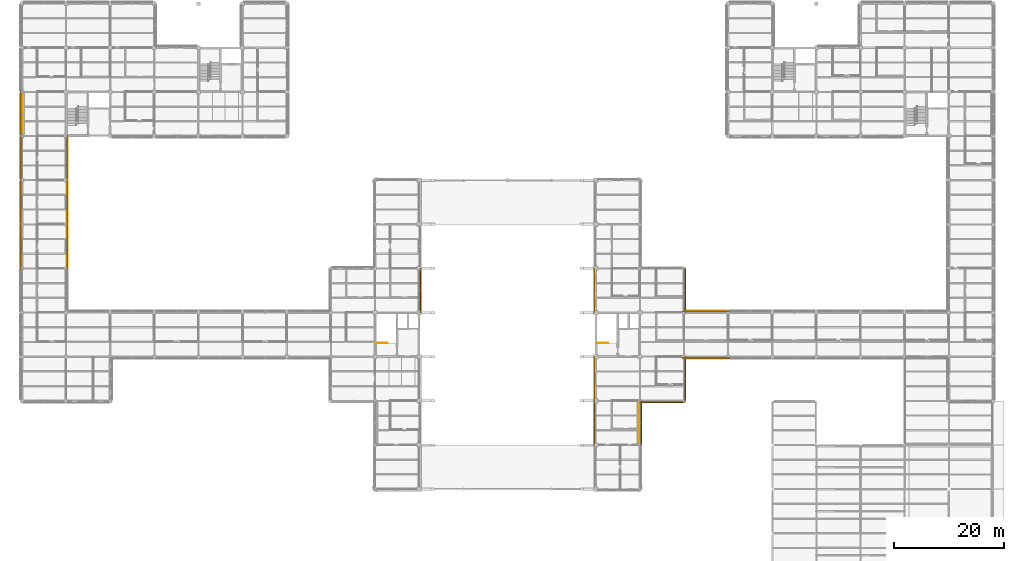
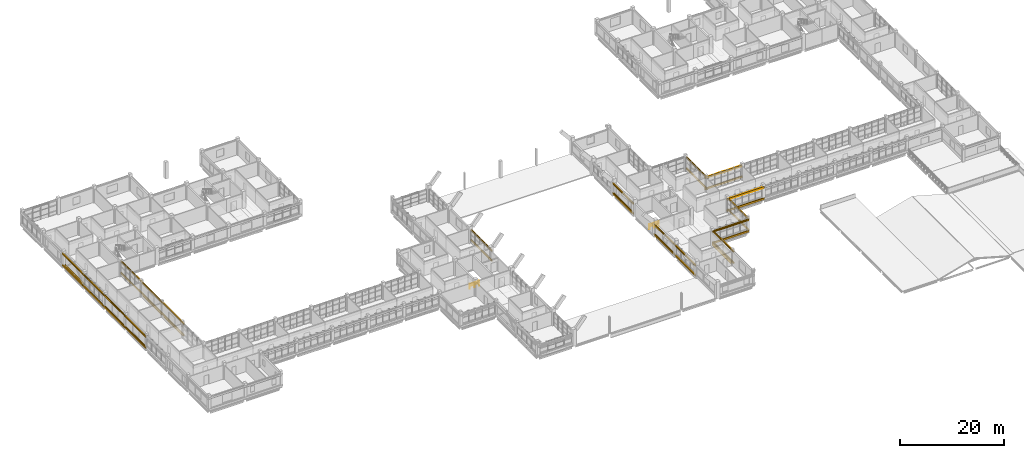
# One storey, part 84 of 92: 42 coverings, 17 shading devices, 2 railings.
"""IFC4 building model written with IfcOpenShell, lengths in metres."""

from ifc_helpers import new_model, si_unit, derived_unit, direction, frame, origin, origin_2d, place, context, subcontext, project, spatial, rectangle, circle, extrude, material, layer, layer_set, material_profile, profile_set, type_object, element, save


model = new_model("IFC4")

# Units and contexts
model_context = context("Model", 3, precision=1e-05, world=origin(), true_north=direction((0.0, 1.0)))
body_context = subcontext(model_context, "Body", "Model", "MODEL_VIEW")
ifc_project = project(units=[si_unit("LENGTHUNIT", "METRE"), si_unit("AREAUNIT", "SQUARE_METRE"), si_unit("VOLUMEUNIT", "CUBIC_METRE"), si_unit("PLANEANGLEUNIT", "RADIAN"), si_unit("MASSUNIT", "GRAM", prefix="KILO"), derived_unit("THERMALTRANSMITTANCEUNIT", [(si_unit("MASSUNIT", "GRAM", prefix="KILO"), 1), (si_unit("TIMEUNIT", "SECOND"), -3), (si_unit("THERMODYNAMICTEMPERATUREUNIT", "KELVIN"), -1)])], contexts=[model_context])

# Site, building, storey
site_placement = place(None, origin())
site = spatial("IfcSite", under=ifc_project, at=site_placement, CompositionType="ELEMENT")
building_placement = place(site_placement, origin())
building = spatial("IfcBuilding", under=site, at=building_placement, Name="Veyamyaing Civic Hall", CompositionType="ELEMENT")
storey_placement = place(building_placement, frame((0.0, 0.0, 17.820068359375)))
storey = spatial("IfcBuildingStorey", under=building, at=storey_placement, Name="L04", CompositionType="ELEMENT", Elevation=17.820068359375)

# Coverings
ifc_material_1 = material(Name="Buff sandstone ashlar cladding", Category="masonry")
ifc_layer_1 = layer(ifc_material_1, 0.050048828125, Name="Buff sandstone ashlar cladding")
ifc_layer_set_1 = layer_set([ifc_layer_1], Name="Buff sandstone ashlar cladding")
covering_type_1 = type_object("IfcCoveringType", Name="CL-01", PredefinedType="CLADDING", material=ifc_layer_set_1)
for number, where, z_axis, x_axis, name in (
    (1, (-0.160888671875, 75.97509765625, 0.044921875), (0.0, 0.0, 1.0), (0.0, 1.0, 0.0), "Facade spandrel cladding CL-01 L04 W 1.10"),
    (2, (8.160888671875, 75.97509765625, 0.044921875), (0.0, 0.0, 1.0), (0.0, 1.0, 0.0), "Facade spandrel cladding CL-01 L04 E 1.10"),
):
    element("IfcCovering", number, at=place(storey_placement, frame(where, z_axis=z_axis, x_axis=x_axis)), inside=storey, type_object=covering_type_1, Name=name, PredefinedType="CLADDING", context=body_context, shape_type="SweptSolid", body=[
        extrude(rectangle(XDim=7.35009765625, YDim=0.050048828125, at=origin_2d()), origin(), (0.0, 0.0, 1.0), 0.75),
    ])
covering_1_placement = place(storey_placement, frame((0.138916015625, 92.0, 0.044921875), z_axis=(0.0, 0.0, 1.0), x_axis=(0.0, 1.0, 0.0)))
element("IfcCovering", 3, at=covering_1_placement, inside=storey, type_object=covering_type_1, Name="Facade spandrel cladding CL-01 L04 W 1.12", PredefinedType="CLADDING", context=body_context, shape_type="SweptSolid", body=[
    extrude(rectangle(XDim=7.300048828125, YDim=0.050048828125, at=origin_2d()), origin(), (0.0, 0.0, 1.0), 0.75),
])
covering_2_placement = place(storey_placement, frame((111.87353515625, 36.0, 0.044921875), z_axis=(0.0, 0.0, 1.0), x_axis=(0.0, 1.0, 0.0)))
element("IfcCovering", 4, at=covering_2_placement, inside=storey, type_object=covering_type_1, Name="Facade spandrel cladding CL-01 L04 E 14.5", PredefinedType="CLADDING", context=body_context, shape_type="SweptSolid", body=[
    extrude(rectangle(XDim=7.39990234375, YDim=0.050048828125, at=origin_2d()), origin(), (0.0, 0.0, 1.0), 0.75),
])
ifc_material_2 = material(Name="Turquoise glazed ceramic tile cladding", Category="masonry")
ifc_layer_2 = layer(ifc_material_2, 0.034912109375, Name="Turquoise glazed ceramic tile cladding")
ifc_layer_set_2 = layer_set([ifc_layer_2], Name="Turquoise glazed ceramic tile cladding")
covering_type_2 = type_object("IfcCoveringType", Name="CL-02", PredefinedType="CLADDING", material=ifc_layer_set_2)
for number, where, z_axis, x_axis, name in (
    (5, (-0.153564453125, 68.0, 0.044921875), (0.0, 0.0, 1.0), (0.0, 1.0, 0.0), "Facade spandrel cladding CL-02 L04 W 1.9"),
    (6, (8.153564453125, 68.0, 0.044921875), (0.0, 0.0, 1.0), (0.0, 1.0, 0.0), "Facade spandrel cladding CL-02 L04 E 1.9"),
):
    element("IfcCovering", number, at=place(storey_placement, frame(where, z_axis=z_axis, x_axis=x_axis)), inside=storey, type_object=covering_type_2, Name=name, PredefinedType="CLADDING", context=body_context, shape_type="SweptSolid", body=[
        extrude(rectangle(XDim=7.39990234375, YDim=0.034912109375, at=origin_2d()), origin(), (0.0, 0.0, 1.0), 0.75),
    ])
for number, where, z_axis, x_axis, name in (
    (7, (103.833984375, 44.0, 0.044921875), (0.0, 0.0, 1.0), (0.0, 1.0, 0.0), "Facade spandrel cladding CL-02 L04 W 14.6"),
    (8, (103.833984375, 60.0, 0.044921875), (0.0, 0.0, 1.0), (0.0, 1.0, 0.0), "Facade spandrel cladding CL-02 L04 W 14.8"),
):
    element("IfcCovering", number, at=place(storey_placement, frame(where, z_axis=z_axis, x_axis=x_axis)), inside=storey, type_object=covering_type_2, Name=name, PredefinedType="CLADDING", context=body_context, shape_type="SweptSolid", body=[
        extrude(rectangle(XDim=7.14990234375, YDim=0.034912109375, at=origin_2d()), origin(), (0.0, 0.0, 1.0), 0.75),
    ])
ifc_material_3 = material(Name="White powder-coated aluminium 6063-T6", Category="aluminium")
ifc_layer_3 = layer(ifc_material_3, 0.2099609375, Name="White powder-coated aluminium 6063-T6")
ifc_layer_set_3 = layer_set([ifc_layer_3], Name="White powder-coated aluminium 6063-T6")
covering_type_3 = type_object("IfcCoveringType", Name="CL-03", PredefinedType="CLADDING", material=ifc_layer_set_3)
for number, where, z_axis, x_axis, name in (
    (9, (-0.239990234375, 68.0, 2.905029296875), (0.0, 0.0, 1.0), (0.0, 1.0, 0.0), "Continuous white head fascia ribbon CL-03 L04 W 1.9"),
    (10, (-0.239990234375, 68.0, 0.280029296875), (0.0, 0.0, 1.0), (0.0, 1.0, 0.0), "Continuous white sill fascia ribbon CL-03 L04 W 1.9"),
    (11, (8.239990234375, 68.0, 2.968994140625), (0.0, 0.0, 1.0), (0.0, 1.0, 0.0), "Continuous white head fascia ribbon CL-03 L04 E 1.9"),
    (12, (8.239990234375, 68.0, 0.280029296875), (0.0, 0.0, 1.0), (0.0, 1.0, 0.0), "Continuous white sill fascia ribbon CL-03 L04 E 1.9"),
    (13, (-0.239990234375, 76.0, 2.989013671875), (0.0, 0.0, 1.0), (0.0, 1.0, 0.0), "Continuous white head fascia ribbon CL-03 L04 W 1.10"),
    (14, (-0.239990234375, 76.0, 0.280029296875), (0.0, 0.0, 1.0), (0.0, 1.0, 0.0), "Continuous white sill fascia ribbon CL-03 L04 W 1.10"),
    (15, (8.239990234375, 76.0, 2.928955078125), (0.0, 0.0, 1.0), (0.0, 1.0, 0.0), "Continuous white head fascia ribbon CL-03 L04 E 1.10"),
    (16, (8.239990234375, 76.0, 0.280029296875), (0.0, 0.0, 1.0), (0.0, 1.0, 0.0), "Continuous white sill fascia ribbon CL-03 L04 E 1.10"),
    (17, (-0.239990234375, 84.0, 2.928955078125), (0.0, 0.0, 1.0), (0.0, 1.0, 0.0), "Continuous white head fascia ribbon CL-03 L04 W 1.11"),
    (18, (-0.239990234375, 84.0, 0.280029296875), (0.0, 0.0, 1.0), (0.0, 1.0, 0.0), "Continuous white sill fascia ribbon CL-03 L04 W 1.11"),
    (19, (8.239990234375, 84.0, 2.991943359375), (0.0, 0.0, 1.0), (0.0, 1.0, 0.0), "Continuous white head fascia ribbon CL-03 L04 E 1.11"),
    (20, (8.239990234375, 84.0, 0.280029296875), (0.0, 0.0, 1.0), (0.0, 1.0, 0.0), "Continuous white sill fascia ribbon CL-03 L04 E 1.11"),
    (21, (-0.239990234375, 92.0, 2.9970703125), (0.0, 0.0, 1.0), (0.0, 1.0, 0.0), "Continuous white head fascia ribbon CL-03 L04 W 1.12"),
    (22, (-0.239990234375, 92.0, 0.280029296875), (0.0, 0.0, 1.0), (0.0, 1.0, 0.0), "Continuous white sill fascia ribbon CL-03 L04 W 1.12"),
):
    element("IfcCovering", number, at=place(storey_placement, frame(where, z_axis=z_axis, x_axis=x_axis)), inside=storey, type_object=covering_type_3, Name=name, PredefinedType="CLADDING", context=body_context, shape_type="SweptSolid", body=[
        extrude(rectangle(XDim=8.360107421875, YDim=0.2099609375, at=origin_2d()), origin(), (0.0, 0.0, 1.0), 0.39990234375),
    ])
for number, where, z_axis, x_axis, name in (
    (23, (72.239990234375, 60.0, 2.6220703125), (0.0, 0.0, 1.0), (0.0, 1.0, 0.0), "Continuous white head fascia ribbon CL-03 L04 E 9.8"),
    (24, (72.239990234375, 60.0, 0.280029296875), (0.0, 0.0, 1.0), (0.0, 1.0, 0.0), "Continuous white sill fascia ribbon CL-03 L04 E 9.8"),
    (25, (103.760009765625, 36.0, 2.6220703125), (0.0, 0.0, 1.0), (0.0, 1.0, 0.0), "Continuous white head fascia ribbon CL-03 L04 W 14.5"),
    (26, (103.760009765625, 36.0, 0.280029296875), (0.0, 0.0, 1.0), (0.0, 1.0, 0.0), "Continuous white sill fascia ribbon CL-03 L04 W 14.5"),
    (27, (112.239990234375, 36.0, 2.908935546875), (0.0, 0.0, 1.0), (0.0, 1.0, 0.0), "Continuous white head fascia ribbon CL-03 L04 E 14.5"),
    (28, (112.239990234375, 36.0, 0.280029296875), (0.0, 0.0, 1.0), (0.0, 1.0, 0.0), "Continuous white sill fascia ribbon CL-03 L04 E 14.5"),
    (29, (103.760009765625, 44.0, 2.6220703125), (0.0, 0.0, 1.0), (0.0, 1.0, 0.0), "Continuous white head fascia ribbon CL-03 L04 W 14.6"),
    (30, (103.760009765625, 44.0, 0.280029296875), (0.0, 0.0, 1.0), (0.0, 1.0, 0.0), "Continuous white sill fascia ribbon CL-03 L04 W 14.6"),
    (31, (103.760009765625, 60.0, 2.6220703125), (0.0, 0.0, 1.0), (0.0, 1.0, 0.0), "Continuous white head fascia ribbon CL-03 L04 W 14.8"),
    (32, (103.760009765625, 60.0, 0.280029296875), (0.0, 0.0, 1.0), (0.0, 1.0, 0.0), "Continuous white sill fascia ribbon CL-03 L04 W 14.8"),
    (33, (116.0, 39.760009765625, 2.971923828125), (0.0, 0.0, 1.0), (1.0, 0.0, 0.0), "Continuous white head fascia ribbon CL-03 L04 S 15.6"),
    (34, (116.0, 39.760009765625, 0.280029296875), (0.0, 0.0, 1.0), (1.0, 0.0, 0.0), "Continuous white sill fascia ribbon CL-03 L04 S 15.6"),
    (35, (120.239990234375, 44.0, 2.905029296875), (0.0, 0.0, 1.0), (0.0, 1.0, 0.0), "Continuous white head fascia ribbon CL-03 L04 E 15.6"),
    (36, (120.239990234375, 44.0, 0.280029296875), (0.0, 0.0, 1.0), (0.0, 1.0, 0.0), "Continuous white sill fascia ribbon CL-03 L04 E 15.6"),
    (37, (120.239990234375, 60.0, 2.908935546875), (0.0, 0.0, 1.0), (0.0, 1.0, 0.0), "Continuous white head fascia ribbon CL-03 L04 E 15.8"),
    (38, (120.239990234375, 60.0, 0.280029296875), (0.0, 0.0, 1.0), (0.0, 1.0, 0.0), "Continuous white sill fascia ribbon CL-03 L04 E 15.8"),
):
    element("IfcCovering", number, at=place(storey_placement, frame(where, z_axis=z_axis, x_axis=x_axis)), inside=storey, type_object=covering_type_3, Name=name, PredefinedType="CLADDING", context=body_context, shape_type="SweptSolid", body=[
        extrude(rectangle(XDim=8.1201171875, YDim=0.2099609375, at=origin_2d()), origin(), (0.0, 0.0, 1.0), 0.39990234375),
    ])
for number, where, z_axis, x_axis, name in (
    (39, (124.0, 47.760009765625, 2.968994140625), (0.0, 0.0, 1.0), (1.0, 0.0, 0.0), "Continuous white head fascia ribbon CL-03 L04 S 16.7"),
    (40, (124.0, 47.760009765625, 0.280029296875), (0.0, 0.0, 1.0), (1.0, 0.0, 0.0), "Continuous white sill fascia ribbon CL-03 L04 S 16.7"),
    (41, (124.0, 56.239990234375, 2.908935546875), (0.0, 0.0, 1.0), (1.0, 0.0, 0.0), "Continuous white head fascia ribbon CL-03 L04 N 16.7"),
    (42, (124.0, 56.239990234375, 0.280029296875), (0.0, 0.0, 1.0), (1.0, 0.0, 0.0), "Continuous white sill fascia ribbon CL-03 L04 N 16.7"),
):
    element("IfcCovering", number, at=place(storey_placement, frame(where, z_axis=z_axis, x_axis=x_axis)), inside=storey, type_object=covering_type_3, Name=name, PredefinedType="CLADDING", context=body_context, shape_type="SweptSolid", body=[
        extrude(rectangle(XDim=8.360107421875, YDim=0.2099609375, at=origin_2d()), origin(), (0.0, 0.0, 1.0), 0.39990234375),
    ])

# Railings
ifc_material_4 = material(Name="Steel S355J2", Category="steel")
railing_type = type_object("IfcRailingType", Name="RL-01", PredefinedType="BALUSTRADE", material=ifc_material_4)
for number, where, name in (
    (43, (64.159912109375, 50.47998046875, 0.0), "Top-landing stair well guard RL-01 ST-05 L04"),
    (44, (104.159912109375, 50.47998046875, 0.0), "Top-landing stair well guard RL-01 ST-06 L04"),
):
    element("IfcRailing", number, at=place(storey_placement, frame(where)), inside=storey, type_object=railing_type, Name=name, PredefinedType="BALUSTRADE", context=body_context, shape_type="SweptSolid", body=[
        extrude(circle(Radius=0.02392578125, at=origin_2d()), frame((0.0, 0.0, 1.076171875), z_axis=(1.0, 0.0, 0.0), x_axis=(0.0, 1.0, 0.0)), (0.0, 0.0, 1.0), 2.10009765625),
        extrude(circle(Radius=0.01416015625, at=origin_2d()), frame((0.0, 0.0, 0.572021484375), z_axis=(1.0, 0.0, 0.0), x_axis=(0.0, 1.0, 0.0)), (0.0, 0.0, 1.0), 2.10009765625),
        extrude(circle(Radius=0.02099609375, at=origin_2d()), origin(), (0.0, 0.0, 1.0), 1.052001953125),
        extrude(circle(Radius=0.02099609375, at=origin_2d()), frame((1.050048828125, 0.0, 0.0)), (0.0, 0.0, 1.0), 1.052001953125),
        extrude(circle(Radius=0.02099609375, at=origin_2d()), frame((2.10009765625, 0.0, 0.0)), (0.0, 0.0, 1.0), 1.052001953125),
    ])

# Shading devices
ifc_material_profile_1 = material_profile(ifc_material_3, circle(Radius=0.110107421875, at=origin_2d()), Name="SHADE-TUBE-220")
ifc_profile_set_1 = profile_set([ifc_material_profile_1], Name="White powder-coated aluminium 6063-T6")
shading_device_type_1 = type_object("IfcShadingDeviceType", Name="SH-01", PredefinedType="USERDEFINED", material=ifc_profile_set_1)
for number, where, z_axis, x_axis, name in (
    (45, (72.239990234375, 56.385009765625, 2.781982421875), (0.0, 1.0, 0.0), (-1.0, 0.0, 0.0), "Horizontal white sunshade ribbon SH-01 L04 E 9.8"),
    (46, (103.760009765625, 32.385009765625, 2.781982421875), (0.0, 1.0, 0.0), (-1.0, 0.0, 0.0), "Horizontal white sunshade ribbon SH-01 L04 W 14.5"),
):
    element("IfcShadingDevice", number, at=place(storey_placement, frame(where, z_axis=z_axis, x_axis=x_axis)), inside=storey, type_object=shading_device_type_1, Name=name, ObjectType="SUNSHADE", PredefinedType="USERDEFINED", context=body_context, shape_type="SweptSolid", body=[
        extrude(circle(Radius=0.110107421875, at=origin_2d()), origin(), (0.0, 0.0, 1.0), 7.22998046875),
    ])
shading_device_1_placement = place(storey_placement, frame((112.239990234375, 32.260009765625, 3.06884765625), z_axis=(0.0, 1.0, 0.0), x_axis=(-1.0, 0.0, 0.0)))
element("IfcShadingDevice", 47, at=shading_device_1_placement, inside=storey, type_object=shading_device_type_1, Name="Horizontal white sunshade ribbon SH-01 L04 E 14.5", ObjectType="SUNSHADE", PredefinedType="USERDEFINED", context=body_context, shape_type="SweptSolid", body=[
    extrude(circle(Radius=0.110107421875, at=origin_2d()), origin(), (0.0, 0.0, 1.0), 7.47998046875),
])
for number, where, z_axis, x_axis, name in (
    (48, (103.760009765625, 40.385009765625, 2.781982421875), (0.0, 1.0, 0.0), (-1.0, 0.0, 0.0), "Horizontal white sunshade ribbon SH-01 L04 W 14.6"),
    (49, (103.760009765625, 56.385009765625, 2.781982421875), (0.0, 1.0, 0.0), (-1.0, 0.0, 0.0), "Horizontal white sunshade ribbon SH-01 L04 W 14.8"),
):
    element("IfcShadingDevice", number, at=place(storey_placement, frame(where, z_axis=z_axis, x_axis=x_axis)), inside=storey, type_object=shading_device_type_1, Name=name, ObjectType="SUNSHADE", PredefinedType="USERDEFINED", context=body_context, shape_type="SweptSolid", body=[
        extrude(circle(Radius=0.110107421875, at=origin_2d()), origin(), (0.0, 0.0, 1.0), 7.22998046875),
    ])
for number, where, z_axis, x_axis, name in (
    (50, (112.260009765625, 39.760009765625, 3.1318359375), (1.0, 0.0, 0.0), (0.0, 1.0, 0.0), "Horizontal white sunshade ribbon SH-01 L04 S 15.6"),
    (51, (120.239990234375, 40.260009765625, 3.06494140625), (0.0, 1.0, 0.0), (-1.0, 0.0, 0.0), "Horizontal white sunshade ribbon SH-01 L04 E 15.6"),
    (52, (120.239990234375, 56.260009765625, 3.06884765625), (0.0, 1.0, 0.0), (-1.0, 0.0, 0.0), "Horizontal white sunshade ribbon SH-01 L04 E 15.8"),
):
    element("IfcShadingDevice", number, at=place(storey_placement, frame(where, z_axis=z_axis, x_axis=x_axis)), inside=storey, type_object=shading_device_type_1, Name=name, ObjectType="SUNSHADE", PredefinedType="USERDEFINED", context=body_context, shape_type="SweptSolid", body=[
        extrude(circle(Radius=0.110107421875, at=origin_2d()), origin(), (0.0, 0.0, 1.0), 7.47998046875),
    ])
ifc_material_profile_2 = material_profile(ifc_material_3, circle(Radius=0.090087890625, at=origin_2d()), Name="SHADE-TUBE-180")
ifc_profile_set_2 = profile_set([ifc_material_profile_2], Name="White powder-coated aluminium 6063-T6")
shading_device_type_2 = type_object("IfcShadingDeviceType", Name="SH-02", PredefinedType="USERDEFINED", material=ifc_profile_set_2)
for number, where, z_axis, x_axis, name in (
    (53, (-0.239990234375, 64.260009765625, 3.06494140625), (0.0, 1.0, 0.0), (-1.0, 0.0, 0.0), "Horizontal white sunshade ribbon SH-02 L04 W 1.9"),
    (54, (8.239990234375, 64.260009765625, 3.12890625), (0.0, 1.0, 0.0), (-1.0, 0.0, 0.0), "Horizontal white sunshade ribbon SH-02 L04 E 1.9"),
):
    element("IfcShadingDevice", number, at=place(storey_placement, frame(where, z_axis=z_axis, x_axis=x_axis)), inside=storey, type_object=shading_device_type_2, Name=name, ObjectType="SUNSHADE", PredefinedType="USERDEFINED", context=body_context, shape_type="SweptSolid", body=[
        extrude(circle(Radius=0.090087890625, at=origin_2d()), origin(), (0.0, 0.0, 1.0), 7.47998046875),
    ])
for number, where, z_axis, x_axis, name in (
    (55, (-0.239990234375, 72.260009765625, 3.14892578125), (0.0, 1.0, 0.0), (-1.0, 0.0, 0.0), "Horizontal white sunshade ribbon SH-02 L04 W 1.10"),
    (56, (8.239990234375, 72.260009765625, 3.0888671875), (0.0, 1.0, 0.0), (-1.0, 0.0, 0.0), "Horizontal white sunshade ribbon SH-02 L04 E 1.10"),
):
    element("IfcShadingDevice", number, at=place(storey_placement, frame(where, z_axis=z_axis, x_axis=x_axis)), inside=storey, type_object=shading_device_type_2, Name=name, ObjectType="SUNSHADE", PredefinedType="USERDEFINED", context=body_context, shape_type="SweptSolid", body=[
        extrude(circle(Radius=0.090087890625, at=origin_2d()), origin(), (0.0, 0.0, 1.0), 7.429931640625),
    ])
shading_device_2_placement = place(storey_placement, frame((-0.239990234375, 80.31005859375, 3.0888671875), z_axis=(0.0, 1.0, 0.0), x_axis=(-1.0, 0.0, 0.0)))
element("IfcShadingDevice", 57, at=shading_device_2_placement, inside=storey, type_object=shading_device_type_2, Name="Horizontal white sunshade ribbon SH-02 L04 W 1.11", ObjectType="SUNSHADE", PredefinedType="USERDEFINED", context=body_context, shape_type="SweptSolid", body=[
    extrude(circle(Radius=0.090087890625, at=origin_2d()), origin(), (0.0, 0.0, 1.0), 7.3798828125),
])
shading_device_3_placement = place(storey_placement, frame((8.239990234375, 80.31005859375, 3.15185546875), z_axis=(0.0, 1.0, 0.0), x_axis=(-1.0, 0.0, 0.0)))
element("IfcShadingDevice", 58, at=shading_device_3_placement, inside=storey, type_object=shading_device_type_2, Name="Horizontal white sunshade ribbon SH-02 L04 E 1.11", ObjectType="SUNSHADE", PredefinedType="USERDEFINED", context=body_context, shape_type="SweptSolid", body=[
    extrude(circle(Radius=0.090087890625, at=origin_2d()), origin(), (0.0, 0.0, 1.0), 7.35498046875),
])
shading_device_4_placement = place(storey_placement, frame((-0.239990234375, 88.31005859375, 3.156982421875), z_axis=(0.0, 1.0, 0.0), x_axis=(-1.0, 0.0, 0.0)))
element("IfcShadingDevice", 59, at=shading_device_4_placement, inside=storey, type_object=shading_device_type_2, Name="Horizontal white sunshade ribbon SH-02 L04 W 1.12", ObjectType="SUNSHADE", PredefinedType="USERDEFINED", context=body_context, shape_type="SweptSolid", body=[
    extrude(circle(Radius=0.090087890625, at=origin_2d()), origin(), (0.0, 0.0, 1.0), 7.3798828125),
])
for number, where, z_axis, x_axis, name in (
    (60, (120.260009765625, 47.760009765625, 3.12890625), (1.0, 0.0, 0.0), (0.0, 1.0, 0.0), "Horizontal white sunshade ribbon SH-02 L04 S 16.7"),
    (61, (120.260009765625, 56.239990234375, 3.06884765625), (1.0, 0.0, 0.0), (0.0, 1.0, 0.0), "Horizontal white sunshade ribbon SH-02 L04 N 16.7"),
):
    element("IfcShadingDevice", number, at=place(storey_placement, frame(where, z_axis=z_axis, x_axis=x_axis)), inside=storey, type_object=shading_device_type_2, Name=name, ObjectType="SUNSHADE", PredefinedType="USERDEFINED", context=body_context, shape_type="SweptSolid", body=[
        extrude(circle(Radius=0.090087890625, at=origin_2d()), origin(), (0.0, 0.0, 1.0), 7.47998046875),
    ])

save(model, "model.ifc")
